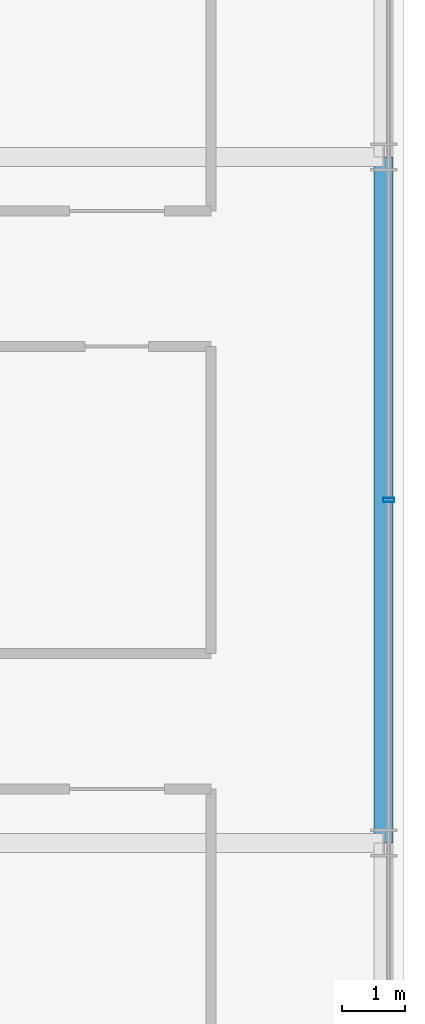
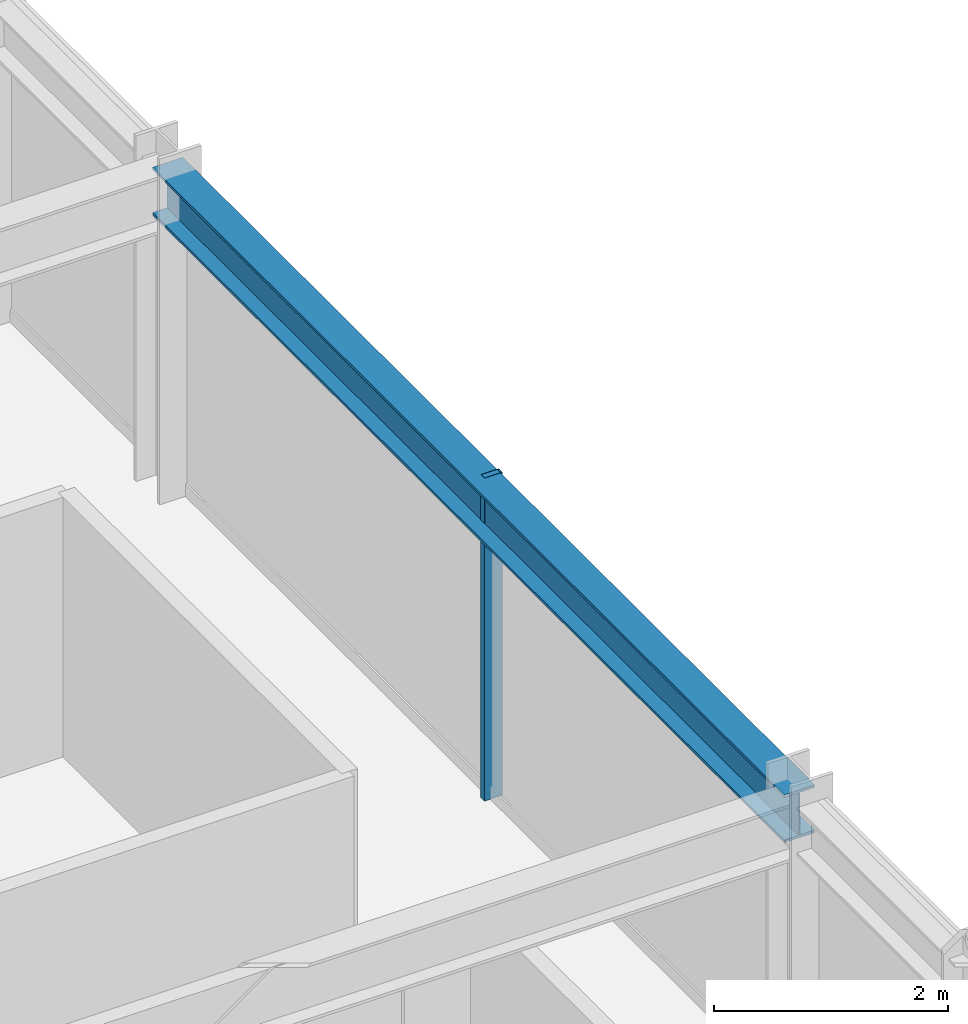
# One storey, part 17 of 37: 1 beam, 1 member, 1 element without a shape of its own.
"""IFC4 building model written with IfcOpenShell, lengths in metres."""

from ifc_helpers import new_model, si_unit, direction, frame, origin, origin_2d, place, context, subcontext, project, spatial, hollow_rectangle, i_section, extrude, source, transform, mapped, material, material_profile, profile_set, type_object, element, aggregate, save


model = new_model("IFC4")

# Units and contexts
model_context = context("Model", 3, precision=1e-05, world=origin(), true_north=direction((0.0, 1.0)))
body_context = subcontext(model_context, "Body", "Model", "MODEL_VIEW")
ifc_project = project(units=[si_unit("LENGTHUNIT", "METRE"), si_unit("AREAUNIT", "SQUARE_METRE"), si_unit("VOLUMEUNIT", "CUBIC_METRE"), si_unit("PLANEANGLEUNIT", "RADIAN"), si_unit("MASSUNIT", "GRAM", prefix="KILO")], contexts=[model_context])

# Site, building, storey
site_placement = place(None, origin())
site = spatial("IfcSite", under=ifc_project, at=site_placement, CompositionType="ELEMENT")
building_placement = place(site_placement, origin())
building = spatial("IfcBuilding", under=site, at=building_placement, Name="Nahalor Promenade Grand Hotel", CompositionType="ELEMENT")
storey_placement = place(building_placement, frame((0.0, 0.0, 36.050048828125)))
storey = spatial("IfcBuildingStorey", under=building, at=storey_placement, Name="L07", CompositionType="ELEMENT", Elevation=36.050048828125)

# Beam
ifc_material_1 = material(Name="Steel S355JR", Category="steel")
ifc_material_profile_1 = material_profile(ifc_material_1, i_section(OverallWidth=0.3, OverallDepth=0.5, WebThickness=0.0145, FlangeThickness=0.028, at=origin_2d()), Name="HEB 500")
ifc_profile_set_1 = profile_set([ifc_material_profile_1], Name="Steel S355JR")
beam_type = type_object("IfcBeamType", Name="Beam-Spandrel-HEB500", PredefinedType="SPANDREL", material=ifc_profile_set_1)
shared_shape_1 = source(origin(), body_context, "Body", "SweptSolid", [
    extrude(i_section(OverallWidth=0.3, OverallDepth=0.5, WebThickness=0.0145, FlangeThickness=0.028, at=origin_2d()), origin(), (0.0, 0.0, 1.0), 10.7998046875),
])
beam_placement = place(storey_placement, frame((25.080078125, -5.39990234375, 3.119873046875), z_axis=(0.0, 1.0, 0.0), x_axis=(-1.0, 0.0, 0.0)))
element("IfcBeam", 1, at=beam_placement, inside=storey, type_object=beam_type, Name="BM-L07-SP-E-2", PredefinedType="SPANDREL", context=body_context, shape_type="MappedRepresentation", body=[
    mapped(shared_shape_1, transform((0.0, 0.0, 0.0), scale=1.0)),
])

# Curtain wall, member
ifc_material_2 = material(Name="Anodised Bronze Aluminium EN AW-6063 T6", Category="aluminium")
curtain_wall_type = type_object("IfcCurtainWallType", Name="CW2 Typical Hotel Flush Bronze Unitised Curtain Wall", PredefinedType="USERDEFINED", material=ifc_material_2)
curtain_wall_placement = place(storey_placement, origin())
curtain_wall = element("IfcCurtainWall", 2, at=curtain_wall_placement, inside=storey, type_object=curtain_wall_type, Name="L07 Curtain Wall CW-L07-E-1", ObjectType="UNITISED_CURTAIN_WALL", PredefinedType="USERDEFINED")
ifc_material_profile_2 = material_profile(ifc_material_2, hollow_rectangle(XDim=0.065, YDim=0.18, WallThickness=0.004, at=origin_2d()), Name="CWM 65x180x4")
ifc_profile_set_2 = profile_set([ifc_material_profile_2], Name="Anodised Bronze Aluminium EN AW-6063 T6")
member_type = type_object("IfcMemberType", Name="CWM2 Typical Bronze Mullion 65x180", PredefinedType="MULLION", material=ifc_profile_set_2)
shared_shape_2 = source(origin(), body_context, "Body", "SweptSolid", [
    extrude(hollow_rectangle(XDim=0.065, YDim=0.18, WallThickness=0.004, at=origin_2d()), origin(), (0.0, 0.0, 1.0), 3.369873046875),
])
member_placement = place(storey_placement, frame((25.159912109375, 0.0, 0.0), z_axis=(0.0, 0.0, 1.0), x_axis=(0.0, 1.0, 0.0)))
member = element("IfcMember", 3, at=member_placement, type_object=member_type, Name="CW-L07-E-1 Mullion 2", PredefinedType="MULLION", context=body_context, shape_type="MappedRepresentation", body=[
    mapped(shared_shape_2, transform((0.0, 0.0, 0.0), scale=1.0)),
])
aggregate(curtain_wall, [member])

save(model, "model.ifc")
